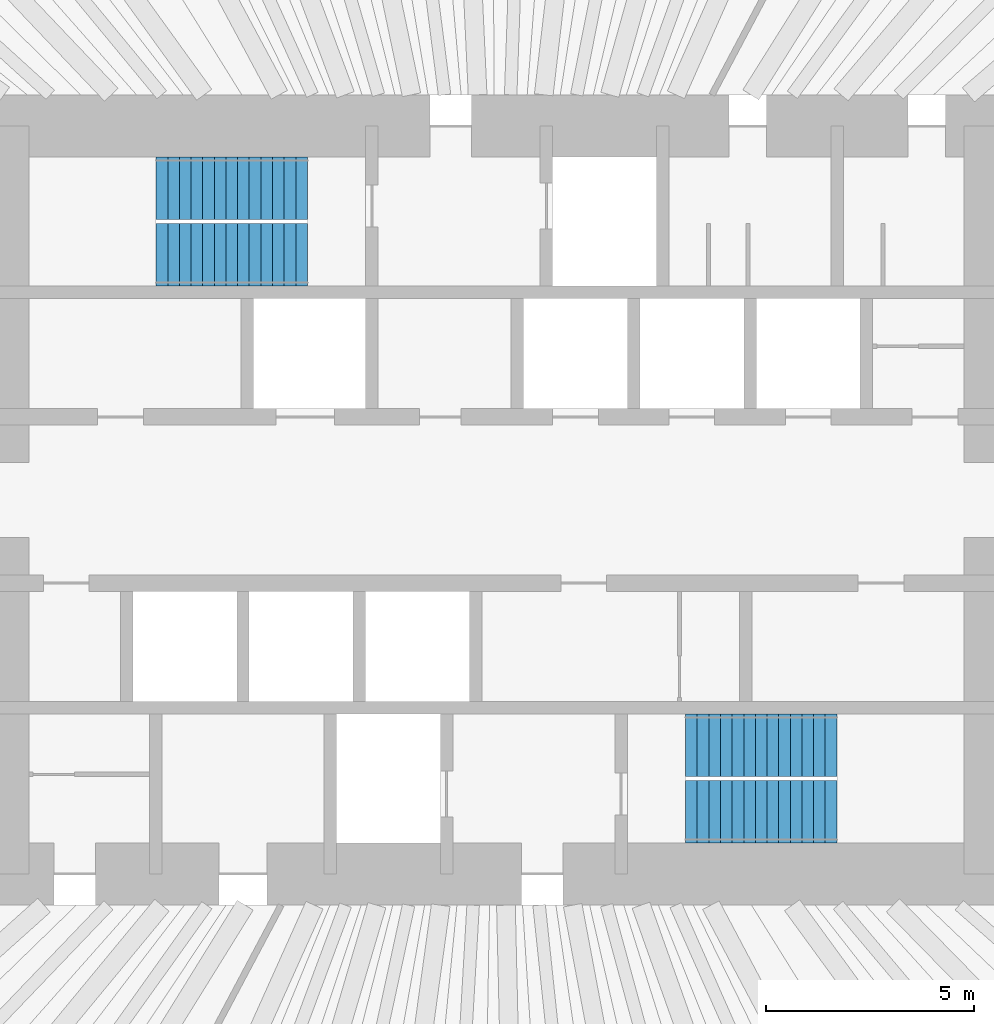
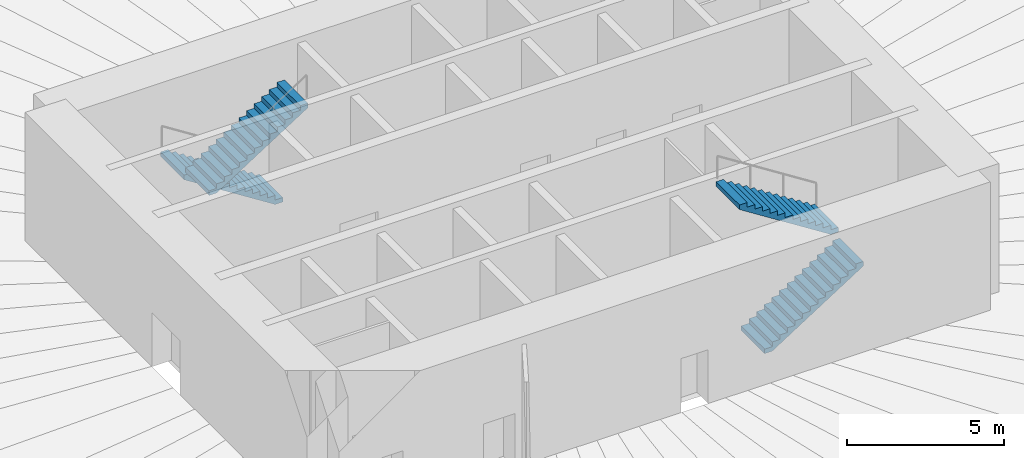
# One storey, part 17 of 18: 4 stair flights, 2 elements without a shape of their own.
"""IFC4 building model written with IfcOpenShell, lengths in metres."""

from ifc_helpers import new_model, si_unit, direction, frame, origin, place, context, subcontext, project, spatial, polyline, outline, extrude, material, type_object, element, aggregate, save


model = new_model("IFC4")

# Units and contexts
model_context = context("Model", 3, precision=1e-05, world=origin(), true_north=direction((0.0, 1.0)))
body_context = subcontext(model_context, "Body", "Model", "MODEL_VIEW")
ifc_project = project(units=[si_unit("LENGTHUNIT", "METRE"), si_unit("AREAUNIT", "SQUARE_METRE"), si_unit("VOLUMEUNIT", "CUBIC_METRE"), si_unit("PLANEANGLEUNIT", "RADIAN"), si_unit("MASSUNIT", "GRAM", prefix="KILO")], contexts=[model_context])

# Site, building, storey
site_placement = place(None, origin())
site = spatial("IfcSite", under=ifc_project, at=site_placement, CompositionType="ELEMENT")
building_placement = place(site_placement, origin())
building = spatial("IfcBuilding", under=site, at=building_placement, Name="Qingtian Harvest Tower", CompositionType="ELEMENT")
storey_placement = place(building_placement, frame((0.0, 0.0, 12.0)))
storey = spatial("IfcBuildingStorey", under=building, at=storey_placement, Name="L02", CompositionType="ELEMENT", Elevation=12.0)

# Stair, stair flights
ifc_material_1 = material(Name="Concrete fc' 35 MPa", Category="concrete")
stair_type = type_object("IfcStairType", Name="Special stair ST2 5000", PredefinedType="HALF_TURN_STAIR", material=ifc_material_1)
stair_1_placement = place(storey_placement, origin())
stair_1 = element("IfcStair", 1, at=stair_1_placement, inside=storey, type_object=stair_type, Name="Special stair S1 L02", PredefinedType="HALF_TURN_STAIR")
ifc_material_2 = material(Name="Concrete fc' 35 MPa", Category="concrete")
stair_flight_type = type_object("IfcStairFlightType", Name="Stair flight SF2 5000", PredefinedType="STRAIGHT", material=ifc_material_2)
stair_flight_1_placement = place(storey_placement, frame((-4.550048828125, 7.5, 0.0), z_axis=(0.0, 0.0, 1.0), x_axis=(-1.0, 0.0, 0.0)))
stair_flight_1 = element("IfcStairFlight", 2, at=stair_flight_1_placement, type_object=stair_flight_type, Name="S1 flight 1", NumberOfRisers=14, NumberOfTreads=13, PredefinedType="STRAIGHT", RiserHeight=0.178571429, TreadLength=0.28, context=body_context, shape_type="SweptSolid", body=[
    extrude(outline(polyline([(0.0, 0.0), (0.0, 0.178466796875), (0.280029296875, 0.178466796875), (0.280029296875, 0.357177734375), (0.56005859375, 0.357177734375), (0.56005859375, 0.53564453125), (0.840087890625, 0.53564453125), (0.840087890625, 0.71435546875), (1.1201171875, 0.71435546875), (1.1201171875, 0.892822265625), (1.39990234375, 0.892822265625), (1.39990234375, 1.071533203125), (1.679931640625, 1.071533203125), (1.679931640625, 1.25), (1.9599609375, 1.25), (1.9599609375, 1.428466796875), (2.239990234375, 1.428466796875), (2.239990234375, 1.607177734375), (2.52001953125, 1.607177734375), (2.52001953125, 1.78564453125), (2.800048828125, 1.78564453125), (2.800048828125, 1.96435546875), (3.080078125, 1.96435546875), (3.080078125, 2.142822265625), (3.360107421875, 2.142822265625), (3.360107421875, 2.321533203125), (3.639892578125, 2.321533203125), (3.639892578125, 2.5), (3.639892578125, 2.1435546875), (0.27880859375, 0.0), (0.0, 0.0)])), frame((0.0, 0.75, 0.0), z_axis=(0.0, -1.0, 0.0), x_axis=(1.0, 0.0, 0.0)), (0.0, 0.0, 1.0), 1.5),
])
stair_flight_2_placement = place(storey_placement, frame((-8.18994140625, 5.89990234375, 2.5), z_axis=(0.0, 0.0, 1.0), x_axis=(1.0, 0.0, 0.0)))
stair_flight_2 = element("IfcStairFlight", 3, at=stair_flight_2_placement, type_object=stair_flight_type, Name="S1 flight 2", NumberOfRisers=14, NumberOfTreads=13, PredefinedType="STRAIGHT", RiserHeight=0.178571429, TreadLength=0.28, context=body_context, shape_type="SweptSolid", body=[
    extrude(outline(polyline([(0.0, 0.0), (0.0, 0.178466796875), (0.280029296875, 0.178466796875), (0.280029296875, 0.357177734375), (0.56005859375, 0.357177734375), (0.56005859375, 0.53564453125), (0.840087890625, 0.53564453125), (0.840087890625, 0.71435546875), (1.1201171875, 0.71435546875), (1.1201171875, 0.892822265625), (1.39990234375, 0.892822265625), (1.39990234375, 1.071533203125), (1.679931640625, 1.071533203125), (1.679931640625, 1.25), (1.9599609375, 1.25), (1.9599609375, 1.428466796875), (2.239990234375, 1.428466796875), (2.239990234375, 1.607177734375), (2.52001953125, 1.607177734375), (2.52001953125, 1.78564453125), (2.800048828125, 1.78564453125), (2.800048828125, 1.96435546875), (3.080078125, 1.96435546875), (3.080078125, 2.142822265625), (3.360107421875, 2.142822265625), (3.360107421875, 2.321533203125), (3.639892578125, 2.321533203125), (3.639892578125, 2.5), (3.639892578125, 2.1435546875), (0.27880859375, 0.0), (0.0, 0.0)])), frame((0.0, 0.75, 0.0), z_axis=(0.0, -1.0, 0.0), x_axis=(1.0, 0.0, 0.0)), (0.0, 0.0, 1.0), 1.5),
])
aggregate(stair_1, [stair_flight_1, stair_flight_2])

stair_2_placement = place(storey_placement, origin())
stair_2 = element("IfcStair", 4, at=stair_2_placement, inside=storey, type_object=stair_type, Name="Special stair S2 L02", PredefinedType="HALF_TURN_STAIR")
stair_flight_3_placement = place(storey_placement, frame((4.550048828125, -7.5, 0.0), z_axis=(0.0, 0.0, 1.0), x_axis=(1.0, 0.0, 0.0)))
stair_flight_3 = element("IfcStairFlight", 5, at=stair_flight_3_placement, type_object=stair_flight_type, Name="S2 flight 1", NumberOfRisers=14, NumberOfTreads=13, PredefinedType="STRAIGHT", RiserHeight=0.178571429, TreadLength=0.28, context=body_context, shape_type="SweptSolid", body=[
    extrude(outline(polyline([(0.0, 0.0), (0.0, 0.178466796875), (0.280029296875, 0.178466796875), (0.280029296875, 0.357177734375), (0.56005859375, 0.357177734375), (0.56005859375, 0.53564453125), (0.840087890625, 0.53564453125), (0.840087890625, 0.71435546875), (1.1201171875, 0.71435546875), (1.1201171875, 0.892822265625), (1.39990234375, 0.892822265625), (1.39990234375, 1.071533203125), (1.679931640625, 1.071533203125), (1.679931640625, 1.25), (1.9599609375, 1.25), (1.9599609375, 1.428466796875), (2.239990234375, 1.428466796875), (2.239990234375, 1.607177734375), (2.52001953125, 1.607177734375), (2.52001953125, 1.78564453125), (2.800048828125, 1.78564453125), (2.800048828125, 1.96435546875), (3.080078125, 1.96435546875), (3.080078125, 2.142822265625), (3.360107421875, 2.142822265625), (3.360107421875, 2.321533203125), (3.639892578125, 2.321533203125), (3.639892578125, 2.5), (3.639892578125, 2.1435546875), (0.27880859375, 0.0), (0.0, 0.0)])), frame((0.0, 0.75, 0.0), z_axis=(0.0, -1.0, 0.0), x_axis=(1.0, 0.0, 0.0)), (0.0, 0.0, 1.0), 1.5),
])
stair_flight_4_placement = place(storey_placement, frame((8.18994140625, -5.89990234375, 2.5), z_axis=(0.0, 0.0, 1.0), x_axis=(-1.0, 0.0, 0.0)))
stair_flight_4 = element("IfcStairFlight", 6, at=stair_flight_4_placement, type_object=stair_flight_type, Name="S2 flight 2", NumberOfRisers=14, NumberOfTreads=13, PredefinedType="STRAIGHT", RiserHeight=0.178571429, TreadLength=0.28, context=body_context, shape_type="SweptSolid", body=[
    extrude(outline(polyline([(0.0, 0.0), (0.0, 0.178466796875), (0.280029296875, 0.178466796875), (0.280029296875, 0.357177734375), (0.56005859375, 0.357177734375), (0.56005859375, 0.53564453125), (0.840087890625, 0.53564453125), (0.840087890625, 0.71435546875), (1.1201171875, 0.71435546875), (1.1201171875, 0.892822265625), (1.39990234375, 0.892822265625), (1.39990234375, 1.071533203125), (1.679931640625, 1.071533203125), (1.679931640625, 1.25), (1.9599609375, 1.25), (1.9599609375, 1.428466796875), (2.239990234375, 1.428466796875), (2.239990234375, 1.607177734375), (2.52001953125, 1.607177734375), (2.52001953125, 1.78564453125), (2.800048828125, 1.78564453125), (2.800048828125, 1.96435546875), (3.080078125, 1.96435546875), (3.080078125, 2.142822265625), (3.360107421875, 2.142822265625), (3.360107421875, 2.321533203125), (3.639892578125, 2.321533203125), (3.639892578125, 2.5), (3.639892578125, 2.1435546875), (0.27880859375, 0.0), (0.0, 0.0)])), frame((0.0, 0.75, 0.0), z_axis=(0.0, -1.0, 0.0), x_axis=(1.0, 0.0, 0.0)), (0.0, 0.0, 1.0), 1.5),
])
aggregate(stair_2, [stair_flight_3, stair_flight_4])

save(model, "model.ifc")
